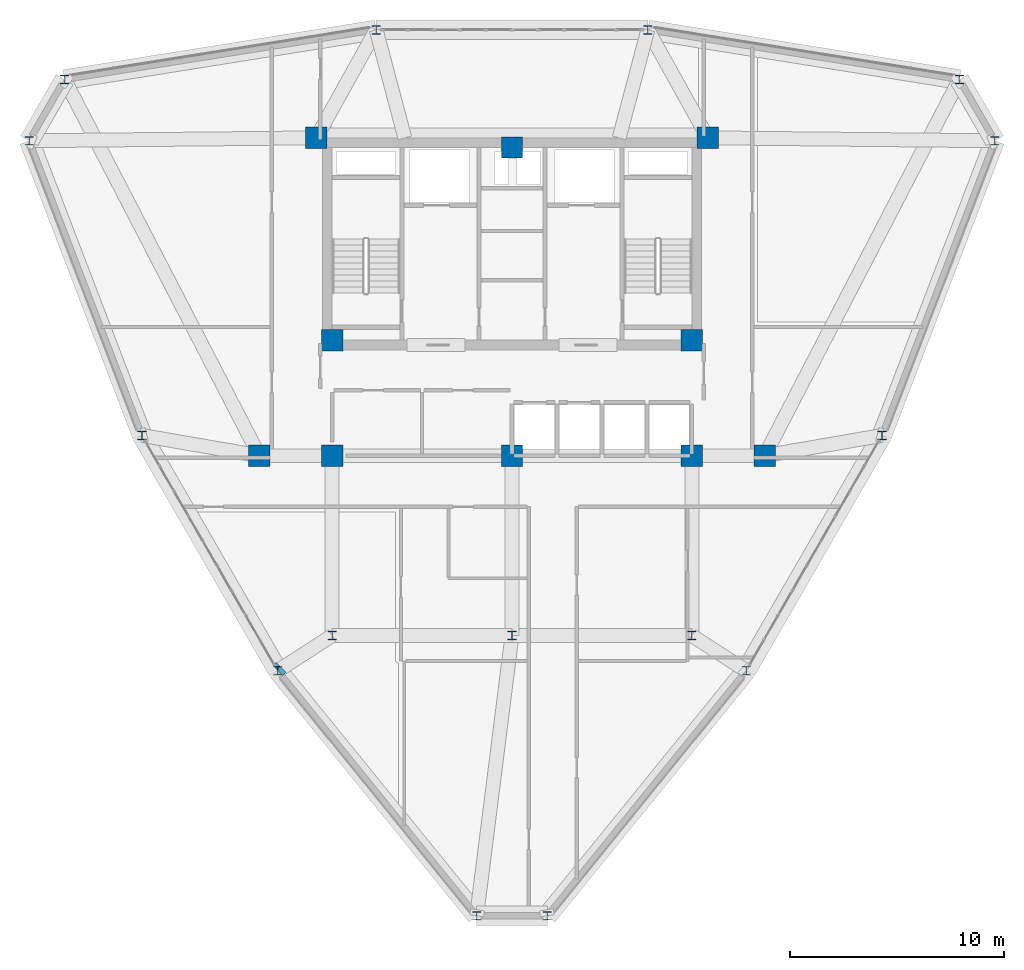
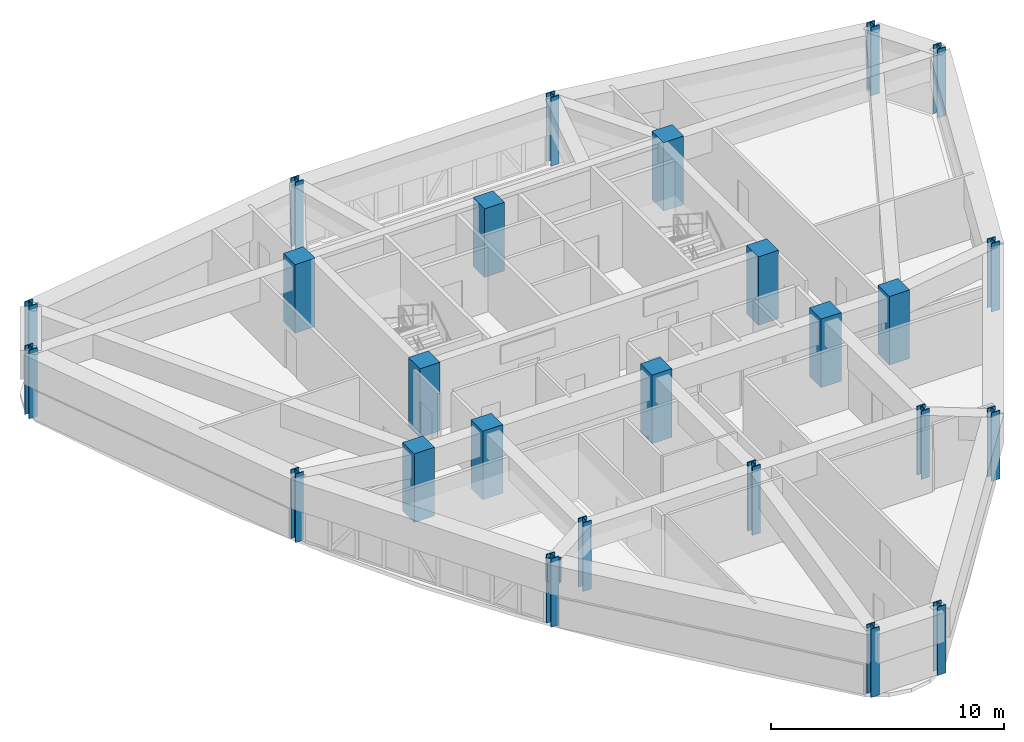
# One storey, part 1 of 14: 25 columns, 1 beam.
"""IFC4 building model written with IfcOpenShell, lengths in metres."""

from ifc_helpers import new_model, si_unit, derived_unit, direction, frame, origin, origin_2d, place, context, subcontext, project, spatial, rectangle, i_section, extrude, source, transform, mapped, material, material_profile, profile_set, type_object, element, save


model = new_model("IFC4")

# Units and contexts
model_context = context("Model", 3, precision=1e-05, world=origin(), true_north=direction((0.0, 1.0)))
body_context = subcontext(model_context, "Body", "Model", "MODEL_VIEW")
ifc_project = project(units=[si_unit("LENGTHUNIT", "METRE"), si_unit("AREAUNIT", "SQUARE_METRE"), si_unit("VOLUMEUNIT", "CUBIC_METRE"), si_unit("PLANEANGLEUNIT", "RADIAN"), si_unit("MASSUNIT", "GRAM", prefix="KILO"), derived_unit("THERMALTRANSMITTANCEUNIT", [(si_unit("POWERUNIT", "WATT"), 1), (si_unit("LENGTHUNIT", "METRE"), -2), (si_unit("THERMODYNAMICTEMPERATUREUNIT", "KELVIN"), -1)])], contexts=[model_context])

# Site, building, storey
site_placement = place(None, origin())
site = spatial("IfcSite", under=ifc_project, at=site_placement, CompositionType="ELEMENT")
building_placement = place(site_placement, origin())
building = spatial("IfcBuilding", under=site, at=building_placement, Name="Korsvarv Bourse and Concert Hall", CompositionType="ELEMENT")
storey_placement = place(building_placement, frame((0.0, 0.0, 175.800048828125)))
storey = spatial("IfcBuildingStorey", under=building, at=storey_placement, Name="L45", CompositionType="ELEMENT", Elevation=175.800048828125)

# Columns
ifc_material_1 = material(Name="Steel S355", Category="steel")
ifc_material_profile_1 = material_profile(ifc_material_1, i_section(OverallWidth=0.412109375, OverallDepth=0.43505859375, WebThickness=0.032958984375, FlangeThickness=0.052978515625, FilletRadius=0.014892578125, at=origin_2d()), Name="HD 400x463")
ifc_profile_set_1 = profile_set([ifc_material_profile_1], Name="Steel S355")
column_type_1 = type_object("IfcColumnType", Name="COL-HD463", PredefinedType="COLUMN", material=ifc_profile_set_1)
shared_shape_1 = source(origin(), body_context, "Body", "SweptSolid", [
    extrude(i_section(OverallWidth=0.412109375, OverallDepth=0.43505859375, WebThickness=0.032958984375, FlangeThickness=0.052978515625, FilletRadius=0.014892578125, at=origin_2d()), origin(), (0.0, 0.0, 1.0), 3.599853515625),
])
for number, where, z_axis, x_axis, name in (
    (1, (27.60009765625, 24.0, 0.0), (0.0, 0.0, 1.0), (1.0, 0.0, 0.0), "L45 column C-09"),
    (2, (44.39990234375, 24.0, 0.0), (0.0, 0.0, 1.0), (1.0, 0.0, 0.0), "L45 column C-09"),
    (3, (36.0, 24.0, 0.0), (0.0, 0.0, 1.0), (1.0, 0.0, 0.0), "L45 column C-09"),
):
    element("IfcColumn", number, at=place(storey_placement, frame(where, z_axis=z_axis, x_axis=x_axis)), inside=storey, type_object=column_type_1, Name=name, PredefinedType="COLUMN", context=body_context, shape_type="MappedRepresentation", body=[
        mapped(shared_shape_1, transform((0.0, 0.0, 0.0), scale=1.0)),
    ])
ifc_material_2 = material(Name="Concrete C55/67", Category="concrete")
ifc_material_profile_2 = material_profile(ifc_material_2, rectangle(XDim=1.0, YDim=1.0, at=origin_2d()), Name="RC 1000x1000")
ifc_profile_set_2 = profile_set([ifc_material_profile_2], Name="Concrete C55/67")
column_type_2 = type_object("IfcColumnType", Name="COL-RC1000", PredefinedType="COLUMN", material=ifc_profile_set_2)
shared_shape_2 = source(origin(), body_context, "Body", "SweptSolid", [
    extrude(rectangle(XDim=1.0, YDim=1.0, at=origin_2d()), origin(), (0.0, 0.0, 1.0), 3.599853515625),
])
for number, where, z_axis, x_axis, name in (
    (4, (26.85009765625, 47.25, 0.0), (0.0, 0.0, 1.0), (1.0, 0.0, 0.0), "L45 column C-03"),
    (5, (45.14990234375, 47.25, 0.0), (0.0, 0.0, 1.0), (1.0, 0.0, 0.0), "L45 column C-03"),
    (6, (27.60009765625, 37.800048828125, 0.0), (0.0, 0.0, 1.0), (1.0, 0.0, 0.0), "L45 column C-03"),
    (7, (44.39990234375, 37.800048828125, 0.0), (0.0, 0.0, 1.0), (1.0, 0.0, 0.0), "L45 column C-03"),
    (8, (27.60009765625, 32.39990234375, 0.0), (0.0, 0.0, 1.0), (1.0, 0.0, 0.0), "L45 column C-03"),
    (9, (44.39990234375, 32.39990234375, 0.0), (0.0, 0.0, 1.0), (1.0, 0.0, 0.0), "L45 column C-03"),
    (10, (36.0, 46.800048828125, 0.0), (0.0, 0.0, 1.0), (1.0, 0.0, 0.0), "L45 column C-03"),
    (11, (36.0, 32.39990234375, 0.0), (0.0, 0.0, 1.0), (1.0, 0.0, 0.0), "L45 column C-03"),
    (12, (24.199951171875, 32.39990234375, 0.0), (0.0, 0.0, 1.0), (1.0, 0.0, 0.0), "L45 column C-03"),
    (13, (47.800048828125, 32.39990234375, 0.0), (0.0, 0.0, 1.0), (1.0, 0.0, 0.0), "L45 column C-03"),
):
    element("IfcColumn", number, at=place(storey_placement, frame(where, z_axis=z_axis, x_axis=x_axis)), inside=storey, type_object=column_type_2, Name=name, PredefinedType="COLUMN", context=body_context, shape_type="MappedRepresentation", body=[
        mapped(shared_shape_2, transform((0.0, 0.0, 0.0), scale=1.0)),
    ])
ifc_material_profile_3 = material_profile(ifc_material_1, i_section(OverallWidth=0.406005859375, OverallDepth=0.416015625, WebThickness=0.027099609375, FlangeThickness=0.0439453125, FilletRadius=0.014892578125, at=origin_2d()), Name="HD 400x382")
ifc_profile_set_3 = profile_set([ifc_material_profile_3], Name="Steel S355")
column_type_3 = type_object("IfcColumnType", Name="COL-HD382", PredefinedType="COLUMN", material=ifc_profile_set_3)
shared_shape_3 = source(origin(), body_context, "Body", "SweptSolid", [
    extrude(i_section(OverallWidth=0.406005859375, OverallDepth=0.416015625, WebThickness=0.027099609375, FlangeThickness=0.0439453125, FilletRadius=0.014892578125, at=origin_2d()), origin(), (0.0, 0.0, 1.0), 3.599853515625),
])
for number, where, z_axis, x_axis, name in (
    (14, (58.553955078125, 47.114501953125, 0.0), (0.0, 0.0, 1.0), (1.0, 0.0, 0.0), "L45 column C-10"),
    (15, (56.90234375, 49.97509765625, 0.0), (0.0, 0.0, 1.0), (1.0, 0.0, 0.0), "L45 column C-10"),
    (16, (42.345947265625, 52.2958984375, 0.0), (0.0, 0.0, 1.0), (1.0, 0.0, 0.0), "L45 column C-10"),
    (17, (29.654052734375, 52.2958984375, 0.0), (0.0, 0.0, 1.0), (1.0, 0.0, 0.0), "L45 column C-10"),
    (18, (15.09765625, 49.97509765625, 0.0), (0.0, 0.0, 1.0), (1.0, 0.0, 0.0), "L45 column C-10"),
    (19, (13.446044921875, 47.114501953125, 0.0), (0.0, 0.0, 1.0), (1.0, 0.0, 0.0), "L45 column C-10"),
    (20, (18.71435546875, 33.347900390625, 0.0), (0.0, 0.0, 1.0), (1.0, 0.0, 0.0), "L45 column C-10"),
    (21, (25.060302734375, 22.356201171875, 0.0), (0.0, 0.0, 1.0), (1.0, 0.0, 0.0), "L45 column C-10"),
    (22, (34.348388671875, 10.91064453125, 0.0), (0.0, 0.0, 1.0), (1.0, 0.0, 0.0), "L45 column C-10"),
    (23, (37.651611328125, 10.91064453125, 0.0), (0.0, 0.0, 1.0), (1.0, 0.0, 0.0), "L45 column C-10"),
    (24, (46.939697265625, 22.356201171875, 0.0), (0.0, 0.0, 1.0), (1.0, 0.0, 0.0), "L45 column C-10"),
    (25, (53.28564453125, 33.347900390625, 0.0), (0.0, 0.0, 1.0), (1.0, 0.0, 0.0), "L45 column C-10"),
):
    element("IfcColumn", number, at=place(storey_placement, frame(where, z_axis=z_axis, x_axis=x_axis)), inside=storey, type_object=column_type_3, Name=name, PredefinedType="COLUMN", context=body_context, shape_type="MappedRepresentation", body=[
        mapped(shared_shape_3, transform((0.0, 0.0, 0.0), scale=1.0)),
    ])

# Beam
ifc_material_3 = material(Name="Concrete C50/60", Category="concrete")
ifc_material_profile_4 = material_profile(ifc_material_3, rectangle(XDim=0.64990234375, YDim=1.239990234375, at=origin_2d()), Name="RC-BM 650x1240")
ifc_profile_set_4 = profile_set([ifc_material_profile_4], Name="Concrete C50/60")
beam_type = type_object("IfcBeamType", Name="BM-TR-SPN", PredefinedType="BEAM", material=ifc_profile_set_4)
shared_shape_4 = source(origin(), body_context, "Body", "SweptSolid", [
    extrude(rectangle(XDim=0.64990234375, YDim=1.239990234375, at=origin_2d()), origin(), (0.0, 0.0, 1.0), 0.220947265625),
])
beam_placement = place(storey_placement, frame((25.060302734375, 22.356201171875, 2.780029296875), z_axis=(0.708210771018, 0.706001065024, 0.0), x_axis=(-0.706001065024, 0.708210771018, 0.0)))
element("IfcBeam", 26, at=beam_placement, inside=storey, type_object=beam_type, Name="L45 beam B-TRS", PredefinedType="BEAM", context=body_context, shape_type="MappedRepresentation", body=[
    mapped(shared_shape_4, transform((0.0, 0.0, 0.0), scale=1.0)),
])

save(model, "model.ifc")
